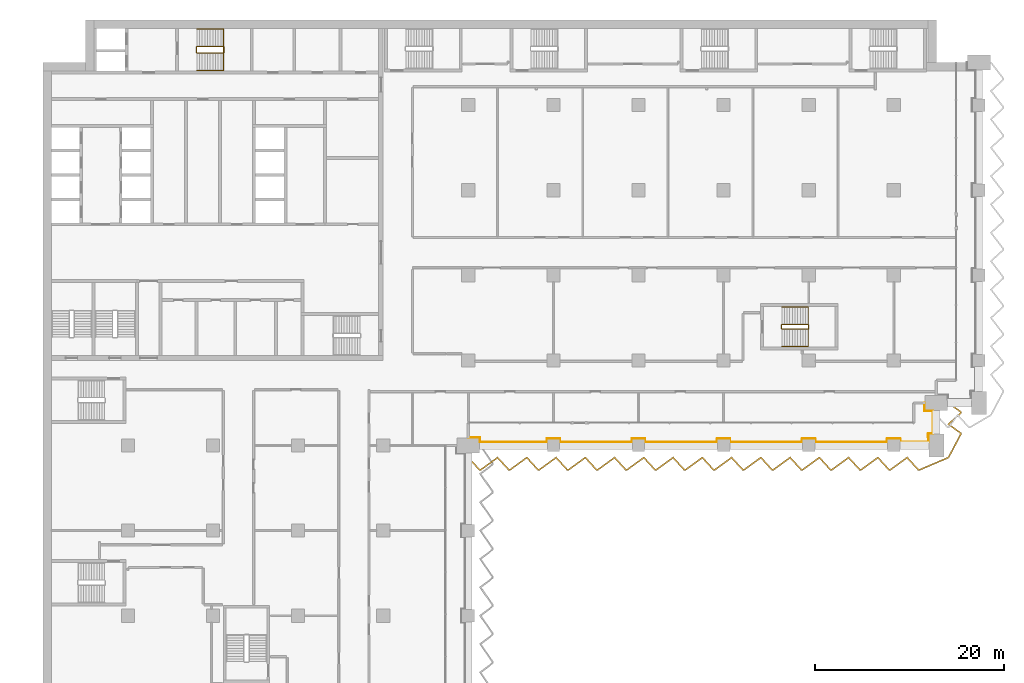
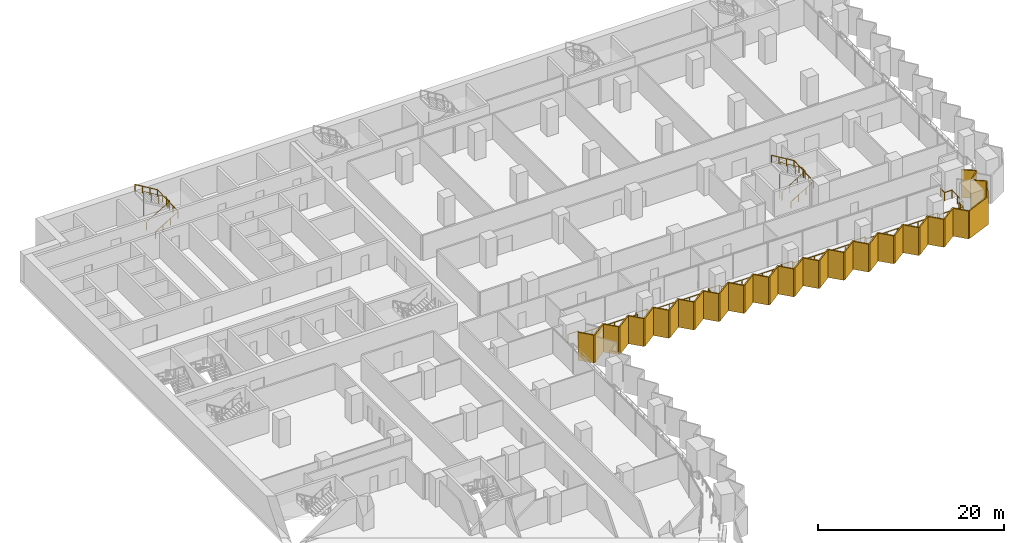
# One storey, part 27 of 29: 5 railings, 1 shading device.
"""IFC4 building model written with IfcOpenShell, lengths in metres."""

import ifcopenshell
import ifcopenshell.guid

model = None  # the IFC model being written
_history = None  # IfcOwnerHistory: only IFC2X3 demands one
_inside = {}  # id of a spatial element -> (the spatial element, [elements in it])
_under = {}  # id of a project, library or spatial element -> (it, [spatial elements below it])
_declared = {}  # id of a project -> (the project, [libraries it declares])
_typed = {}  # id of a type object -> (the type object, [elements of that type])
_made_of = {}  # id of a material, layer set ... -> (it, [elements and type objects made of it])


def new_model(schema):
    """Start an empty IFC model of exactly this schema.

    Asked for "IFC4X3", IfcOpenShell would pick the latest addendum, in which some entities
    have other attributes; the version numbers below select the first issue.
    IFC2X3 requires an IfcOwnerHistory on every rooted entity: one is made here for all.
    """
    global model, _history
    if schema == "IFC4X3":
        model = ifcopenshell.file(schema_version=(4, 3, 0, 0))
    else:
        model = ifcopenshell.file(schema=schema)
    _inside.clear()
    _under.clear()
    _declared.clear()
    _typed.clear()
    _made_of.clear()
    _history = None
    if model.schema == "IFC2X3":
        org = make("IfcOrganization", Name="unknown")
        user = make(
            "IfcPersonAndOrganization",
            ThePerson=make("IfcPerson", FamilyName="unknown"),
            TheOrganization=org,
        )
        app = make(
            "IfcApplication",
            ApplicationDeveloper=org,
            Version="unknown",
            ApplicationFullName="unknown",
            ApplicationIdentifier="unknown",
        )
        _history = make(
            "IfcOwnerHistory",
            OwningUser=user,
            OwningApplication=app,
            ChangeAction="ADDED",
            CreationDate=0,
        )
    return model


def make(cls, **values):
    """One entity of the class cls with the attributes given. An attribute that is None is left unset."""
    return model.create_entity(
        cls, **{name: value for name, value in values.items() if value is not None}
    )


def rooted(cls, **values):
    """An entity with a GlobalId (a new one), such as an element, a storey or a relation."""
    return make(cls, GlobalId=ifcopenshell.guid.new(), OwnerHistory=_history, **values)


def si_unit(unit_type, name, prefix=None):
    """IfcSIUnit, for example si_unit("LENGTHUNIT", "METRE", prefix="MILLI")."""
    return make("IfcSIUnit", UnitType=unit_type, Prefix=prefix, Name=name)


def assignment(units):
    """IfcUnitAssignment: the units of a project."""
    return None if units is None else make("IfcUnitAssignment", Units=units)


def point(xyz):
    """IfcCartesianPoint."""
    return None if xyz is None else make("IfcCartesianPoint", Coordinates=xyz)


def direction(xyz):
    """IfcDirection."""
    return None if xyz is None else make("IfcDirection", DirectionRatios=xyz)


def frame(location, z_axis=None, x_axis=None):
    """IfcAxis2Placement3D, a coordinate frame: its origin and axes. An axis left out is left unset."""
    return make(
        "IfcAxis2Placement3D",
        Location=point(location),
        Axis=direction(z_axis),
        RefDirection=direction(x_axis),
    )


def frame_2d(location, x_axis=None):
    """IfcAxis2Placement2D, a coordinate frame in the plane: its origin and x axis."""
    return make(
        "IfcAxis2Placement2D", Location=point(location), RefDirection=direction(x_axis)
    )


def origin():
    """The frame at (0, 0, 0) with its axes left unset."""
    return frame((0.0, 0.0, 0.0))


def origin_2d():
    """The frame at (0, 0) in the plane with its x axis left unset."""
    return frame_2d((0.0, 0.0))


def place(relative_to, where):
    """IfcLocalPlacement: puts the frame where relative to a parent placement (None: the world)."""
    return make(
        "IfcLocalPlacement", PlacementRelTo=relative_to, RelativePlacement=where
    )


def context(
    kind, dimensions, precision=None, world=None, true_north=None, identifier=None
):
    """IfcGeometricRepresentationContext, for example the 3D "Model" context."""
    return make(
        "IfcGeometricRepresentationContext",
        ContextIdentifier=identifier,
        ContextType=kind,
        CoordinateSpaceDimension=dimensions,
        Precision=precision,
        WorldCoordinateSystem=world,
        TrueNorth=true_north,
    )


def subcontext(parent, identifier, kind, view, scale=None):
    """IfcGeometricRepresentationSubContext, for example "Body" below "Model"."""
    return make(
        "IfcGeometricRepresentationSubContext",
        ContextIdentifier=identifier,
        ContextType=kind,
        ParentContext=parent,
        TargetScale=scale,
        TargetView=view,
    )


def project(units=None, contexts=None):
    """IfcProject with its units and contexts."""
    return rooted(
        "IfcProject",
        Name="project",
        RepresentationContexts=contexts,
        UnitsInContext=assignment(units),
    )


def spatial(cls, under=None, at=None, **own):
    """A site, building, storey or space (cls), placed at a placement, below another one or the project."""
    s = rooted(cls, ObjectPlacement=at, **own)
    if under is not None:
        _under.setdefault(under.id(), (under, []))[1].append(s)
    return s


def polyline(points):
    """IfcPolyline through the points."""
    return make("IfcPolyline", Points=[point(p) for p in points])


def profile(cls, at=None, kind="AREA", **sizes):
    """A parametric profile (cls). Its sizes go by their IFC names, for example OverallWidth=200.0."""
    return make(cls, ProfileType=kind, Position=at, **sizes)


def circle(**sizes):
    """IfcCircleProfileDef."""
    return profile("IfcCircleProfileDef", **sizes)


def outline(outer, holes=None, kind="AREA"):
    """IfcArbitraryClosedProfileDef: a profile drawn as a closed curve; with holes, ...WithVoids."""
    if holes is None:
        return make("IfcArbitraryClosedProfileDef", ProfileType=kind, OuterCurve=outer)
    return make(
        "IfcArbitraryProfileDefWithVoids",
        ProfileType=kind,
        OuterCurve=outer,
        InnerCurves=holes,
    )


def extrude(swept, where, along, depth):
    """IfcExtrudedAreaSolid: the profile swept, set in the frame where, extruded along a direction by depth."""
    return make(
        "IfcExtrudedAreaSolid",
        SweptArea=swept,
        Position=where,
        ExtrudedDirection=direction(along),
        Depth=depth,
    )


def shape(context_of_items, identifier, shape_type, items):
    """IfcShapeRepresentation: the items that make up one representation, for example the "Body"."""
    return make(
        "IfcShapeRepresentation",
        ContextOfItems=context_of_items,
        RepresentationIdentifier=identifier,
        RepresentationType=shape_type,
        Items=items,
    )


def material(Name=None, Category=None):
    """IfcMaterial."""
    return make("IfcMaterial", Name=Name, Category=Category)


def layer(
    of_material, thickness, ventilated=None, Name=None, Category=None, Priority=None
):
    """IfcMaterialLayer: one layer of a wall or slab, of a material (None: an air gap)."""
    return make(
        "IfcMaterialLayer",
        Material=of_material,
        LayerThickness=thickness,
        IsVentilated=ventilated,
        Name=Name,
        Category=Category,
        Priority=Priority,
    )


def layer_set(layers, Name=None):
    """IfcMaterialLayerSet."""
    return make("IfcMaterialLayerSet", MaterialLayers=layers, LayerSetName=Name)


def made_of(thing, what):
    """Note that an element or type object is made of a material, layer set ...; save() writes the relation."""
    if what is not None:
        _made_of.setdefault(what.id(), (what, []))[1].append(thing)
    return thing


def type_object(cls, material=None, **own):
    """A type object (cls), such as IfcWallType, which elements share."""
    return made_of(rooted(cls, **own), material)


def element(
    cls,
    number,
    at=None,
    inside=None,
    cuts=None,
    type_object=None,
    material=None,
    context=None,
    identifier="Body",
    shape_type=None,
    held_by="IfcProductDefinitionShape",
    body=None,
    shapes=None,
    **own,
):
    """One element of the class cls, such as IfcWall. Its Tag is "e" and its number.

    at: its placement. inside: the storey or other place that contains it. cuts: it is an
    opening in that element (IfcRelVoidsElement). A single representation is given by context,
    identifier, shape_type and body (its items); several are given by shapes. held_by: the class
    of the entity that holds the representations. save() writes the other relations.
    """
    e = rooted(cls, Tag="e%d" % number, ObjectPlacement=at, **own)
    if body is not None:
        shapes = [shape(context, identifier, shape_type, body)]
    if shapes is not None:
        e.Representation = make(held_by, Representations=shapes)
    if inside is not None:
        _inside.setdefault(inside.id(), (inside, []))[1].append(e)
    if cuts is not None:
        rooted(
            "IfcRelVoidsElement", RelatingBuildingElement=cuts, RelatedOpeningElement=e
        )
    if type_object is not None:
        _typed.setdefault(type_object.id(), (type_object, []))[1].append(e)
    return made_of(e, material)


def aggregate(whole, parts):
    """IfcRelAggregates: a whole, such as a stair, and the parts it consists of."""
    return rooted("IfcRelAggregates", RelatingObject=whole, RelatedObjects=parts)


def save(model, path):
    """Write the relations noted so far, then the file.

    IfcRelAggregates (storeys below a building ...), IfcRelContainedInSpatialStructure (elements
    in a storey), IfcRelDefinesByType, IfcRelAssociatesMaterial and IfcRelDeclares: one each for
    every whole, place, type object, material and project.
    """
    for whole, parts in _under.values():
        aggregate(whole, parts)
    for where, things in _inside.values():
        rooted(
            "IfcRelContainedInSpatialStructure",
            RelatedElements=things,
            RelatingStructure=where,
        )
    for kind, things in _typed.values():
        rooted("IfcRelDefinesByType", RelatedObjects=things, RelatingType=kind)
    for what, things in _made_of.values():
        rooted("IfcRelAssociatesMaterial", RelatedObjects=things, RelatingMaterial=what)
    for by, libraries in _declared.values():
        rooted("IfcRelDeclares", RelatingContext=by, RelatedDefinitions=libraries)
    model.write(path)


model = new_model("IFC4")

# Units and contexts
model_context = context("Model", 3, precision=1e-05, world=origin(), true_north=direction((0.0, 1.0)))
body_context = subcontext(model_context, "Body", "Model", "MODEL_VIEW")
ifc_project = project(units=[si_unit("LENGTHUNIT", "METRE"), si_unit("AREAUNIT", "SQUARE_METRE"), si_unit("VOLUMEUNIT", "CUBIC_METRE"), si_unit("PLANEANGLEUNIT", "RADIAN"), si_unit("MASSUNIT", "GRAM", prefix="KILO")], contexts=[model_context])

# Site, building, storey
site_placement = place(None, origin())
site = spatial("IfcSite", under=ifc_project, at=site_placement, CompositionType="ELEMENT")
building_placement = place(site_placement, origin())
building = spatial("IfcBuilding", under=site, at=building_placement, Name="Hunhe Ridgeline Campus", CompositionType="ELEMENT")
storey_placement = place(building_placement, frame((0.0, 0.0, 46.89990234375)))
storey = spatial("IfcBuildingStorey", under=building, at=storey_placement, Name="L10", CompositionType="ELEMENT", Elevation=46.89990234375)

# Railing
ifc_material_1 = material(Name="Steel Q355", Category="steel")
railing_type_1 = type_object("IfcRailingType", Name="Loggia guard 1100 Steel Q355", PredefinedType="GUARDRAIL", material=ifc_material_1)
railing_1_placement = place(storey_placement, frame((45.0, 54.8701171875, 0.0)))
element("IfcRailing", 1, at=railing_1_placement, inside=storey, type_object=railing_type_1, Name="Loggia guard 2", PredefinedType="GUARDRAIL", context=body_context, shape_type="SweptSolid", body=[
    extrude(circle(Radius=0.02392578125, at=origin_2d()), frame((0.0, 0.0, 1.076171875), z_axis=(1.0, 0.0, 0.0), x_axis=(0.0, 1.0, 0.0)), (0.0, 0.0, 1.0), 1.25),
    extrude(circle(Radius=0.02392578125, at=origin_2d()), frame((1.25, 0.0, 1.076171875), z_axis=(0.0, -1.0, 0.0), x_axis=(1.0, 0.0, 0.0)), (0.0, 0.0, 1.0), 0.52001953125),
    extrude(circle(Radius=0.02392578125, at=origin_2d()), frame((1.25, -0.52001953125, 1.076171875), z_axis=(1.0, 0.0, 0.0), x_axis=(0.0, 1.0, 0.0)), (0.0, 0.0, 1.0), 7.050048828125),
    extrude(circle(Radius=0.02392578125, at=origin_2d()), frame((8.300048828125, -0.52001953125, 1.076171875), z_axis=(0.0, 1.0, 0.0), x_axis=(-1.0, 0.0, 0.0)), (0.0, 0.0, 1.0), 0.369873046875),
    extrude(circle(Radius=0.02392578125, at=origin_2d()), frame((8.300048828125, -0.150146484375, 1.076171875), z_axis=(1.0, 0.0, 0.0), x_axis=(0.0, 1.0, 0.0)), (0.0, 0.0, 1.0), 1.39990234375),
    extrude(circle(Radius=0.02392578125, at=origin_2d()), frame((9.699951171875, -0.150146484375, 1.076171875), z_axis=(0.0, -1.0, 0.0), x_axis=(1.0, 0.0, 0.0)), (0.0, 0.0, 1.0), 0.369873046875),
    extrude(circle(Radius=0.02392578125, at=origin_2d()), frame((9.699951171875, -0.52001953125, 1.076171875), z_axis=(1.0, 0.0, 0.0), x_axis=(0.0, 1.0, 0.0)), (0.0, 0.0, 1.0), 7.60009765625),
    extrude(circle(Radius=0.02392578125, at=origin_2d()), frame((17.300048828125, -0.52001953125, 1.076171875), z_axis=(0.0, 1.0, 0.0), x_axis=(-1.0, 0.0, 0.0)), (0.0, 0.0, 1.0), 0.369873046875),
    extrude(circle(Radius=0.02392578125, at=origin_2d()), frame((17.300048828125, -0.150146484375, 1.076171875), z_axis=(1.0, 0.0, 0.0), x_axis=(0.0, 1.0, 0.0)), (0.0, 0.0, 1.0), 1.39990234375),
    extrude(circle(Radius=0.02392578125, at=origin_2d()), frame((18.699951171875, -0.150146484375, 1.076171875), z_axis=(0.0, -1.0, 0.0), x_axis=(1.0, 0.0, 0.0)), (0.0, 0.0, 1.0), 0.369873046875),
    extrude(circle(Radius=0.02392578125, at=origin_2d()), frame((18.699951171875, -0.52001953125, 1.076171875), z_axis=(1.0, 0.0, 0.0), x_axis=(0.0, 1.0, 0.0)), (0.0, 0.0, 1.0), 7.60009765625),
    extrude(circle(Radius=0.02392578125, at=origin_2d()), frame((26.300048828125, -0.52001953125, 1.076171875), z_axis=(0.0, 1.0, 0.0), x_axis=(-1.0, 0.0, 0.0)), (0.0, 0.0, 1.0), 0.369873046875),
    extrude(circle(Radius=0.02392578125, at=origin_2d()), frame((26.300048828125, -0.150146484375, 1.076171875), z_axis=(1.0, 0.0, 0.0), x_axis=(0.0, 1.0, 0.0)), (0.0, 0.0, 1.0), 1.39990234375),
    extrude(circle(Radius=0.02392578125, at=origin_2d()), frame((27.699951171875, -0.150146484375, 1.076171875), z_axis=(0.0, -1.0, 0.0), x_axis=(1.0, 0.0, 0.0)), (0.0, 0.0, 1.0), 0.369873046875),
    extrude(circle(Radius=0.02392578125, at=origin_2d()), frame((27.699951171875, -0.52001953125, 1.076171875), z_axis=(1.0, 0.0, 0.0), x_axis=(0.0, 1.0, 0.0)), (0.0, 0.0, 1.0), 7.60009765625),
    extrude(circle(Radius=0.02392578125, at=origin_2d()), frame((35.300048828125, -0.52001953125, 1.076171875), z_axis=(0.0, 1.0, 0.0), x_axis=(-1.0, 0.0, 0.0)), (0.0, 0.0, 1.0), 0.369873046875),
    extrude(circle(Radius=0.02392578125, at=origin_2d()), frame((35.300048828125, -0.150146484375, 1.076171875), z_axis=(1.0, 0.0, 0.0), x_axis=(0.0, 1.0, 0.0)), (0.0, 0.0, 1.0), 1.39990234375),
    extrude(circle(Radius=0.02392578125, at=origin_2d()), frame((36.699951171875, -0.150146484375, 1.076171875), z_axis=(0.0, -1.0, 0.0), x_axis=(1.0, 0.0, 0.0)), (0.0, 0.0, 1.0), 0.369873046875),
    extrude(circle(Radius=0.02392578125, at=origin_2d()), frame((36.699951171875, -0.52001953125, 1.076171875), z_axis=(1.0, 0.0, 0.0), x_axis=(0.0, 1.0, 0.0)), (0.0, 0.0, 1.0), 7.60009765625),
    extrude(circle(Radius=0.02392578125, at=origin_2d()), frame((44.300048828125, -0.52001953125, 1.076171875), z_axis=(0.0, 1.0, 0.0), x_axis=(-1.0, 0.0, 0.0)), (0.0, 0.0, 1.0), 0.369873046875),
    extrude(circle(Radius=0.02392578125, at=origin_2d()), frame((44.300048828125, -0.150146484375, 1.076171875), z_axis=(1.0, 0.0, 0.0), x_axis=(0.0, 1.0, 0.0)), (0.0, 0.0, 1.0), 1.39990234375),
    extrude(circle(Radius=0.02392578125, at=origin_2d()), frame((45.699951171875, -0.150146484375, 1.076171875), z_axis=(0.0, -1.0, 0.0), x_axis=(1.0, 0.0, 0.0)), (0.0, 0.0, 1.0), 0.369873046875),
    extrude(circle(Radius=0.02392578125, at=origin_2d()), frame((45.699951171875, -0.52001953125, 1.076171875), z_axis=(1.0, 0.0, 0.0), x_axis=(0.0, 1.0, 0.0)), (0.0, 0.0, 1.0), 2.949951171875),
    extrude(circle(Radius=0.02392578125, at=origin_2d()), frame((48.64990234375, -0.52001953125, 1.076171875), z_axis=(0.0, 1.0, 0.0), x_axis=(-1.0, 0.0, 0.0)), (0.0, 0.0, 1.0), 0.919921875),
    extrude(circle(Radius=0.02392578125, at=origin_2d()), frame((48.64990234375, 0.39990234375, 1.076171875), z_axis=(-0.049998438503, -0.998749295943, 0.0), x_axis=(0.998749295943, -0.049998438503, 0.0)), (0.0, 0.0, 1.0), 0.400390625),
    extrude(circle(Radius=0.02392578125, at=origin_2d()), frame((48.6298828125, 0.0, 1.076171875), z_axis=(0.0, 1.0, 0.0), x_axis=(-1.0, 0.0, 0.0)), (0.0, 0.0, 1.0), 0.3798828125),
    extrude(circle(Radius=0.02392578125, at=origin_2d()), frame((48.6298828125, 0.3798828125, 1.076171875), z_axis=(1.0, 0.0, 0.0), x_axis=(0.0, 1.0, 0.0)), (0.0, 0.0, 1.0), 0.52001953125),
    extrude(circle(Radius=0.02392578125, at=origin_2d()), frame((49.14990234375, 0.3798828125, 1.076171875), z_axis=(0.0, 1.0, 0.0), x_axis=(-1.0, 0.0, 0.0)), (0.0, 0.0, 1.0), 2.39990234375),
    extrude(circle(Radius=0.02392578125, at=origin_2d()), frame((49.14990234375, 2.77978515625, 1.076171875), z_axis=(-1.0, 0.0, 0.0), x_axis=(0.0, -1.0, 0.0)), (0.0, 0.0, 1.0), 0.919921875),
    extrude(circle(Radius=0.02392578125, at=origin_2d()), frame((48.22998046875, 2.77978515625, 1.076171875), z_axis=(0.0, 1.0, 0.0), x_axis=(-1.0, 0.0, 0.0)), (0.0, 0.0, 1.0), 0.85009765625),
    extrude(circle(Radius=0.02099609375, at=origin_2d()), origin(), (0.0, 0.0, 1.0), 1.052001953125),
    extrude(circle(Radius=0.02099609375, at=origin_2d()), frame((1.25, 0.0, 0.0)), (0.0, 0.0, 1.0), 1.052001953125),
    extrude(circle(Radius=0.02099609375, at=origin_2d()), frame((1.25, -0.52001953125, 0.0)), (0.0, 0.0, 1.0), 1.052001953125),
    extrude(circle(Radius=0.02099609375, at=origin_2d()), frame((2.659912109375, -0.52001953125, 0.0)), (0.0, 0.0, 1.0), 1.052001953125),
    extrude(circle(Radius=0.02099609375, at=origin_2d()), frame((4.070068359375, -0.52001953125, 0.0)), (0.0, 0.0, 1.0), 1.052001953125),
    extrude(circle(Radius=0.02099609375, at=origin_2d()), frame((5.47998046875, -0.52001953125, 0.0)), (0.0, 0.0, 1.0), 1.052001953125),
    extrude(circle(Radius=0.02099609375, at=origin_2d()), frame((6.89013671875, -0.52001953125, 0.0)), (0.0, 0.0, 1.0), 1.052001953125),
    extrude(circle(Radius=0.02099609375, at=origin_2d()), frame((8.300048828125, -0.52001953125, 0.0)), (0.0, 0.0, 1.0), 1.052001953125),
    extrude(circle(Radius=0.02099609375, at=origin_2d()), frame((8.300048828125, -0.150146484375, 0.0)), (0.0, 0.0, 1.0), 1.052001953125),
    extrude(circle(Radius=0.02099609375, at=origin_2d()), frame((9.699951171875, -0.150146484375, 0.0)), (0.0, 0.0, 1.0), 1.052001953125),
    extrude(circle(Radius=0.02099609375, at=origin_2d()), frame((9.699951171875, -0.52001953125, 0.0)), (0.0, 0.0, 1.0), 1.052001953125),
    extrude(circle(Radius=0.02099609375, at=origin_2d()), frame((10.966552734375, -0.52001953125, 0.0)), (0.0, 0.0, 1.0), 1.052001953125),
    extrude(circle(Radius=0.02099609375, at=origin_2d()), frame((12.2333984375, -0.52001953125, 0.0)), (0.0, 0.0, 1.0), 1.052001953125),
    extrude(circle(Radius=0.02099609375, at=origin_2d()), frame((13.5, -0.52001953125, 0.0)), (0.0, 0.0, 1.0), 1.052001953125),
    extrude(circle(Radius=0.02099609375, at=origin_2d()), frame((14.7666015625, -0.52001953125, 0.0)), (0.0, 0.0, 1.0), 1.052001953125),
    extrude(circle(Radius=0.02099609375, at=origin_2d()), frame((16.033447265625, -0.52001953125, 0.0)), (0.0, 0.0, 1.0), 1.052001953125),
    extrude(circle(Radius=0.02099609375, at=origin_2d()), frame((17.300048828125, -0.52001953125, 0.0)), (0.0, 0.0, 1.0), 1.052001953125),
    extrude(circle(Radius=0.02099609375, at=origin_2d()), frame((17.300048828125, -0.150146484375, 0.0)), (0.0, 0.0, 1.0), 1.052001953125),
    extrude(circle(Radius=0.02099609375, at=origin_2d()), frame((18.699951171875, -0.150146484375, 0.0)), (0.0, 0.0, 1.0), 1.052001953125),
    extrude(circle(Radius=0.02099609375, at=origin_2d()), frame((18.699951171875, -0.52001953125, 0.0)), (0.0, 0.0, 1.0), 1.052001953125),
    extrude(circle(Radius=0.02099609375, at=origin_2d()), frame((19.966552734375, -0.52001953125, 0.0)), (0.0, 0.0, 1.0), 1.052001953125),
    extrude(circle(Radius=0.02099609375, at=origin_2d()), frame((21.2333984375, -0.52001953125, 0.0)), (0.0, 0.0, 1.0), 1.052001953125),
    extrude(circle(Radius=0.02099609375, at=origin_2d()), frame((22.5, -0.52001953125, 0.0)), (0.0, 0.0, 1.0), 1.052001953125),
    extrude(circle(Radius=0.02099609375, at=origin_2d()), frame((23.7666015625, -0.52001953125, 0.0)), (0.0, 0.0, 1.0), 1.052001953125),
    extrude(circle(Radius=0.02099609375, at=origin_2d()), frame((25.033447265625, -0.52001953125, 0.0)), (0.0, 0.0, 1.0), 1.052001953125),
    extrude(circle(Radius=0.02099609375, at=origin_2d()), frame((26.300048828125, -0.52001953125, 0.0)), (0.0, 0.0, 1.0), 1.052001953125),
    extrude(circle(Radius=0.02099609375, at=origin_2d()), frame((26.300048828125, -0.150146484375, 0.0)), (0.0, 0.0, 1.0), 1.052001953125),
    extrude(circle(Radius=0.02099609375, at=origin_2d()), frame((27.699951171875, -0.150146484375, 0.0)), (0.0, 0.0, 1.0), 1.052001953125),
    extrude(circle(Radius=0.02099609375, at=origin_2d()), frame((27.699951171875, -0.52001953125, 0.0)), (0.0, 0.0, 1.0), 1.052001953125),
    extrude(circle(Radius=0.02099609375, at=origin_2d()), frame((28.966552734375, -0.52001953125, 0.0)), (0.0, 0.0, 1.0), 1.052001953125),
    extrude(circle(Radius=0.02099609375, at=origin_2d()), frame((30.2333984375, -0.52001953125, 0.0)), (0.0, 0.0, 1.0), 1.052001953125),
    extrude(circle(Radius=0.02099609375, at=origin_2d()), frame((31.5, -0.52001953125, 0.0)), (0.0, 0.0, 1.0), 1.052001953125),
    extrude(circle(Radius=0.02099609375, at=origin_2d()), frame((32.7666015625, -0.52001953125, 0.0)), (0.0, 0.0, 1.0), 1.052001953125),
    extrude(circle(Radius=0.02099609375, at=origin_2d()), frame((34.033447265625, -0.52001953125, 0.0)), (0.0, 0.0, 1.0), 1.052001953125),
    extrude(circle(Radius=0.02099609375, at=origin_2d()), frame((35.300048828125, -0.52001953125, 0.0)), (0.0, 0.0, 1.0), 1.052001953125),
    extrude(circle(Radius=0.02099609375, at=origin_2d()), frame((35.300048828125, -0.150146484375, 0.0)), (0.0, 0.0, 1.0), 1.052001953125),
    extrude(circle(Radius=0.02099609375, at=origin_2d()), frame((36.699951171875, -0.150146484375, 0.0)), (0.0, 0.0, 1.0), 1.052001953125),
    extrude(circle(Radius=0.02099609375, at=origin_2d()), frame((36.699951171875, -0.52001953125, 0.0)), (0.0, 0.0, 1.0), 1.052001953125),
    extrude(circle(Radius=0.02099609375, at=origin_2d()), frame((37.966552734375, -0.52001953125, 0.0)), (0.0, 0.0, 1.0), 1.052001953125),
    extrude(circle(Radius=0.02099609375, at=origin_2d()), frame((39.2333984375, -0.52001953125, 0.0)), (0.0, 0.0, 1.0), 1.052001953125),
    extrude(circle(Radius=0.02099609375, at=origin_2d()), frame((40.5, -0.52001953125, 0.0)), (0.0, 0.0, 1.0), 1.052001953125),
    extrude(circle(Radius=0.02099609375, at=origin_2d()), frame((41.7666015625, -0.52001953125, 0.0)), (0.0, 0.0, 1.0), 1.052001953125),
    extrude(circle(Radius=0.02099609375, at=origin_2d()), frame((43.033447265625, -0.52001953125, 0.0)), (0.0, 0.0, 1.0), 1.052001953125),
    extrude(circle(Radius=0.02099609375, at=origin_2d()), frame((44.300048828125, -0.52001953125, 0.0)), (0.0, 0.0, 1.0), 1.052001953125),
    extrude(circle(Radius=0.02099609375, at=origin_2d()), frame((44.300048828125, -0.150146484375, 0.0)), (0.0, 0.0, 1.0), 1.052001953125),
    extrude(circle(Radius=0.02099609375, at=origin_2d()), frame((45.699951171875, -0.150146484375, 0.0)), (0.0, 0.0, 1.0), 1.052001953125),
    extrude(circle(Radius=0.02099609375, at=origin_2d()), frame((45.699951171875, -0.52001953125, 0.0)), (0.0, 0.0, 1.0), 1.052001953125),
    extrude(circle(Radius=0.02099609375, at=origin_2d()), frame((47.1748046875, -0.52001953125, 0.0)), (0.0, 0.0, 1.0), 1.052001953125),
    extrude(circle(Radius=0.02099609375, at=origin_2d()), frame((48.64990234375, -0.52001953125, 0.0)), (0.0, 0.0, 1.0), 1.052001953125),
    extrude(circle(Radius=0.02099609375, at=origin_2d()), frame((48.64990234375, 0.39990234375, 0.0)), (0.0, 0.0, 1.0), 1.052001953125),
    extrude(circle(Radius=0.02099609375, at=origin_2d()), frame((48.6298828125, 0.0, 0.0)), (0.0, 0.0, 1.0), 1.052001953125),
    extrude(circle(Radius=0.02099609375, at=origin_2d()), frame((48.6298828125, 0.3798828125, 0.0)), (0.0, 0.0, 1.0), 1.052001953125),
    extrude(circle(Radius=0.02099609375, at=origin_2d()), frame((49.14990234375, 0.3798828125, 0.0)), (0.0, 0.0, 1.0), 1.052001953125),
    extrude(circle(Radius=0.02099609375, at=origin_2d()), frame((49.14990234375, 1.579833984375, 0.0)), (0.0, 0.0, 1.0), 1.052001953125),
    extrude(circle(Radius=0.02099609375, at=origin_2d()), frame((49.14990234375, 2.77978515625, 0.0)), (0.0, 0.0, 1.0), 1.052001953125),
    extrude(circle(Radius=0.02099609375, at=origin_2d()), frame((48.22998046875, 2.77978515625, 0.0)), (0.0, 0.0, 1.0), 1.052001953125),
    extrude(circle(Radius=0.02099609375, at=origin_2d()), frame((48.22998046875, 3.6298828125, 0.0)), (0.0, 0.0, 1.0), 1.052001953125),
])

# Shading device
ifc_material_2 = material(Name="Concrete C50", Category="concrete")
ifc_layer = layer(ifc_material_2, 0.14990234375)
ifc_layer_set = layer_set([ifc_layer], Name="Sawtooth concrete fin 150 Concrete C50")
shading_device_type = type_object("IfcShadingDeviceType", Name="Sawtooth concrete fin 150 Concrete C50", PredefinedType="USERDEFINED", material=ifc_layer_set)
shading_device_placement = place(storey_placement, frame((0.0, 0.0, -0.949951171875)))
element("IfcShadingDevice", 2, at=shading_device_placement, inside=storey, type_object=shading_device_type, Name="Concrete fin screen 2", ObjectType="FIN", PredefinedType="USERDEFINED", context=body_context, shape_type="SweptSolid", body=[
    extrude(outline(polyline([(45.055419921875, 52.775634765625), (44.944580078125, 52.674560546875), (46.15283203125, 51.35009765625), (46.330322265625, 51.35009765625), (48.08349609375, 52.624755859375), (49.24658203125, 51.35009765625), (49.424072265625, 51.35009765625), (51.17724609375, 52.624755859375), (52.34033203125, 51.35009765625), (52.517822265625, 51.35009765625), (54.27099609375, 52.624755859375), (55.43408203125, 51.35009765625), (55.611572265625, 51.35009765625), (57.36474609375, 52.624755859375), (58.52783203125, 51.35009765625), (58.705322265625, 51.35009765625), (60.45849609375, 52.624755859375), (61.62158203125, 51.35009765625), (61.799072265625, 51.35009765625), (63.55224609375, 52.624755859375), (64.71533203125, 51.35009765625), (64.892822265625, 51.35009765625), (66.64599609375, 52.624755859375), (67.80908203125, 51.35009765625), (67.986572265625, 51.35009765625), (69.73974609375, 52.624755859375), (70.90283203125, 51.35009765625), (71.080322265625, 51.35009765625), (72.83349609375, 52.624755859375), (73.99658203125, 51.35009765625), (74.174072265625, 51.35009765625), (75.92724609375, 52.624755859375), (77.09033203125, 51.35009765625), (77.267822265625, 51.35009765625), (79.02099609375, 52.624755859375), (80.18408203125, 51.35009765625), (80.361572265625, 51.35009765625), (82.11474609375, 52.624755859375), (83.27783203125, 51.35009765625), (83.455322265625, 51.35009765625), (85.20849609375, 52.624755859375), (86.37158203125, 51.35009765625), (86.549072265625, 51.35009765625), (88.30224609375, 52.624755859375), (89.46533203125, 51.35009765625), (89.642822265625, 51.35009765625), (91.39599609375, 52.624755859375), (92.55908203125, 51.35009765625), (92.7275390625, 51.35009765625), (95.828857421875, 52.66650390625), (97.14990234375, 55.16748046875), (97.14990234375, 55.34423828125), (95.8935546875, 56.256591796875), (97.14990234375, 57.40283203125), (97.14990234375, 57.59423828125), (95.819091796875, 58.560791015625), (95.73095703125, 58.439208984375), (97.0, 57.517822265625), (97.0, 57.46923828125), (95.656494140625, 56.243408203125), (97.0, 55.267822265625), (97.0, 55.20458984375), (95.72119140625, 52.78369140625), (92.697021484375, 51.5), (92.62548828125, 51.5), (91.41650390625, 52.8251953125), (89.59423828125, 51.5), (89.53173828125, 51.5), (88.32275390625, 52.8251953125), (86.50048828125, 51.5), (86.43798828125, 51.5), (85.22900390625, 52.8251953125), (83.40673828125, 51.5), (83.34423828125, 51.5), (82.13525390625, 52.8251953125), (80.31298828125, 51.5), (80.25048828125, 51.5), (79.04150390625, 52.8251953125), (77.21923828125, 51.5), (77.15673828125, 51.5), (75.94775390625, 52.8251953125), (74.12548828125, 51.5), (74.06298828125, 51.5), (72.85400390625, 52.8251953125), (71.03173828125, 51.5), (70.96923828125, 51.5), (69.76025390625, 52.8251953125), (67.93798828125, 51.5), (67.87548828125, 51.5), (66.66650390625, 52.8251953125), (64.84423828125, 51.5), (64.78173828125, 51.5), (63.57275390625, 52.8251953125), (61.75048828125, 51.5), (61.68798828125, 51.5), (60.47900390625, 52.8251953125), (58.65673828125, 51.5), (58.59423828125, 51.5), (57.38525390625, 52.8251953125), (55.56298828125, 51.5), (55.50048828125, 51.5), (54.29150390625, 52.8251953125), (52.46923828125, 51.5), (52.40673828125, 51.5), (51.19775390625, 52.8251953125), (49.37548828125, 51.5), (49.31298828125, 51.5), (48.10400390625, 52.8251953125), (46.28173828125, 51.5), (46.21923828125, 51.5), (45.055419921875, 52.775634765625)])), origin(), (0.0, 0.0, 1.0), 3.650146484375),
])

# Railings
ifc_material_3 = material(Name="Stainless steel balustrade", Category="steel")
railing_type_2 = type_object("IfcRailingType", Name="Stair guard 1100 stainless", PredefinedType="GUARDRAIL", material=ifc_material_3)
railing_2_placement = place(storey_placement, frame((16.300048828125, 95.5, 0.168212890625)))
element("IfcRailing", 3, at=railing_2_placement, inside=storey, type_object=railing_type_2, Name="L10 stair S1 guard", PredefinedType="GUARDRAIL", context=body_context, shape_type="SweptSolid", body=[
    extrude(circle(Radius=0.02392578125, at=origin_2d()), frame((0.0, 0.0, 1.076171875), z_axis=(0.857242210791, 0.0, 0.514913383045), x_axis=(0.0, 1.0, 0.0)), (0.0, 0.0, 1.0), 3.266357421875),
    extrude(circle(Radius=0.02392578125, at=origin_2d()), frame((2.800048828125, 0.0, 2.7578125), z_axis=(0.705375805398, 0.708833529934, 0.0), x_axis=(-0.708833529934, 0.705375805398, 0.0)), (0.0, 0.0, 1.0), 0.070556640625),
    extrude(circle(Radius=0.02392578125, at=origin_2d()), frame((2.849853515625, 0.050048828125, 2.7578125), z_axis=(0.0, 1.0, 0.0), x_axis=(-1.0, 0.0, 0.0)), (0.0, 0.0, 1.0), 0.599853515625),
    extrude(circle(Radius=0.02392578125, at=origin_2d()), frame((2.849853515625, 0.64990234375, 2.7578125), z_axis=(-0.273006030465, 0.27434429532, 0.922064485248), x_axis=(-0.708833529934, -0.705375805398, 0.0)), (0.0, 0.0, 1.0), 0.182373046875),
    extrude(circle(Radius=0.02392578125, at=origin_2d()), frame((2.800048828125, 0.699951171875, 2.92626953125), z_axis=(-0.857242210791, 0.0, 0.514913383045), x_axis=(0.0, -1.0, 0.0)), (0.0, 0.0, 1.0), 3.266357421875),
    extrude(circle(Radius=0.02392578125, at=origin_2d()), frame((0.0, 0.699951171875, 4.60791015625), z_axis=(-0.013523522368, -0.013523522368, -0.999817097616), x_axis=(0.707106781187, -0.707106781187, 0.0)), (0.0, 0.0, 1.0), 3.700927734375),
    extrude(circle(Radius=0.02392578125, at=origin_2d()), frame((-0.050048828125, 0.64990234375, 0.90771484375), z_axis=(0.0, -1.0, 0.0), x_axis=(1.0, 0.0, 0.0)), (0.0, 0.0, 1.0), 0.599853515625),
    extrude(circle(Radius=0.02099609375, at=origin_2d()), origin(), (0.0, 0.0, 1.0), 1.052001953125),
    extrude(circle(Radius=0.02099609375, at=origin_2d()), frame((0.933349609375, 0.0, 0.560546875)), (0.0, 0.0, 1.0), 1.052001953125),
    extrude(circle(Radius=0.02099609375, at=origin_2d()), frame((1.86669921875, 0.0, 1.121337890625)), (0.0, 0.0, 1.0), 1.052001953125),
    extrude(circle(Radius=0.02099609375, at=origin_2d()), frame((2.800048828125, 0.0, 1.681884765625)), (0.0, 0.0, 1.0), 1.052001953125),
    extrude(circle(Radius=0.02099609375, at=origin_2d()), frame((2.849853515625, 0.050048828125, 1.681884765625)), (0.0, 0.0, 1.0), 1.052001953125),
    extrude(circle(Radius=0.02099609375, at=origin_2d()), frame((2.849853515625, 0.64990234375, 1.681884765625)), (0.0, 0.0, 1.0), 1.052001953125),
    extrude(circle(Radius=0.02099609375, at=origin_2d()), frame((2.800048828125, 0.699951171875, 1.85009765625)), (0.0, 0.0, 1.0), 1.052001953125),
    extrude(circle(Radius=0.02099609375, at=origin_2d()), frame((1.86669921875, 0.699951171875, 2.41064453125)), (0.0, 0.0, 1.0), 1.052001953125),
    extrude(circle(Radius=0.02099609375, at=origin_2d()), frame((0.933349609375, 0.699951171875, 2.971435546875)), (0.0, 0.0, 1.0), 1.052001953125),
    extrude(circle(Radius=0.02099609375, at=origin_2d()), frame((0.0, 0.699951171875, 3.531982421875)), (0.0, 0.0, 1.0), 1.052001953125),
    extrude(circle(Radius=0.02099609375, at=origin_2d()), frame((-0.012451171875, 0.6875, 2.60693359375)), (0.0, 0.0, 1.0), 1.052001953125),
    extrude(circle(Radius=0.02099609375, at=origin_2d()), frame((-0.02490234375, 0.6748046875, 1.681884765625)), (0.0, 0.0, 1.0), 1.052001953125),
    extrude(circle(Radius=0.02099609375, at=origin_2d()), frame((-0.03759765625, 0.662353515625, 0.7568359375)), (0.0, 0.0, 1.0), 1.052001953125),
    extrude(circle(Radius=0.02099609375, at=origin_2d()), frame((-0.050048828125, 0.64990234375, -0.168212890625)), (0.0, 0.0, 1.0), 1.052001953125),
    extrude(circle(Radius=0.02099609375, at=origin_2d()), frame((-0.050048828125, 0.050048828125, -0.168212890625)), (0.0, 0.0, 1.0), 1.052001953125),
])
railing_3_placement = place(storey_placement, frame((78.14990234375, 66.300048828125, 0.168212890625)))
element("IfcRailing", 4, at=railing_3_placement, inside=storey, type_object=railing_type_2, Name="L10 stair E5 guard", PredefinedType="GUARDRAIL", context=body_context, shape_type="SweptSolid", body=[
    extrude(circle(Radius=0.02392578125, at=origin_2d()), frame((0.0, 0.0, 1.076171875), z_axis=(0.857242210791, 0.0, 0.514913383045), x_axis=(0.0, 1.0, 0.0)), (0.0, 0.0, 1.0), 3.266357421875),
    extrude(circle(Radius=0.02392578125, at=origin_2d()), frame((2.800048828125, 0.0, 2.7578125), z_axis=(0.707106781187, 0.707106781187, 0.0), x_axis=(-0.707106781187, 0.707106781187, 0.0)), (0.0, 0.0, 1.0), 0.07080078125),
    extrude(circle(Radius=0.02392578125, at=origin_2d()), frame((2.85009765625, 0.050048828125, 2.7578125), z_axis=(0.0, 1.0, 0.0), x_axis=(-1.0, 0.0, 0.0)), (0.0, 0.0, 1.0), 0.39990234375),
    extrude(circle(Radius=0.02392578125, at=origin_2d()), frame((2.85009765625, 0.449951171875, 2.7578125), z_axis=(-0.274243871929, 0.274243871929, 0.92172696468), x_axis=(-0.707106781187, -0.707106781187, 0.0)), (0.0, 0.0, 1.0), 0.1826171875),
    extrude(circle(Radius=0.02392578125, at=origin_2d()), frame((2.800048828125, 0.5, 2.92626953125), z_axis=(-0.857242210791, 0.0, 0.514913383045), x_axis=(0.0, -1.0, 0.0)), (0.0, 0.0, 1.0), 3.266357421875),
    extrude(circle(Radius=0.02392578125, at=origin_2d()), frame((0.0, 0.5, 4.60791015625), z_axis=(-0.013457565943, -0.013523534403, -0.999817987404), x_axis=(0.708833529934, -0.705375805398, 0.0)), (0.0, 0.0, 1.0), 3.700927734375),
    extrude(circle(Radius=0.02392578125, at=origin_2d()), frame((-0.0498046875, 0.449951171875, 0.90771484375), z_axis=(0.0, -1.0, 0.0), x_axis=(1.0, 0.0, 0.0)), (0.0, 0.0, 1.0), 0.39990234375),
    extrude(circle(Radius=0.02099609375, at=origin_2d()), origin(), (0.0, 0.0, 1.0), 1.052001953125),
    extrude(circle(Radius=0.02099609375, at=origin_2d()), frame((0.933349609375, 0.0, 0.560546875)), (0.0, 0.0, 1.0), 1.052001953125),
    extrude(circle(Radius=0.02099609375, at=origin_2d()), frame((1.86669921875, 0.0, 1.121337890625)), (0.0, 0.0, 1.0), 1.052001953125),
    extrude(circle(Radius=0.02099609375, at=origin_2d()), frame((2.800048828125, 0.0, 1.681884765625)), (0.0, 0.0, 1.0), 1.052001953125),
    extrude(circle(Radius=0.02099609375, at=origin_2d()), frame((2.85009765625, 0.050048828125, 1.681884765625)), (0.0, 0.0, 1.0), 1.052001953125),
    extrude(circle(Radius=0.02099609375, at=origin_2d()), frame((2.85009765625, 0.449951171875, 1.681884765625)), (0.0, 0.0, 1.0), 1.052001953125),
    extrude(circle(Radius=0.02099609375, at=origin_2d()), frame((2.800048828125, 0.5, 1.85009765625)), (0.0, 0.0, 1.0), 1.052001953125),
    extrude(circle(Radius=0.02099609375, at=origin_2d()), frame((1.86669921875, 0.5, 2.41064453125)), (0.0, 0.0, 1.0), 1.052001953125),
    extrude(circle(Radius=0.02099609375, at=origin_2d()), frame((0.933349609375, 0.5, 2.971435546875)), (0.0, 0.0, 1.0), 1.052001953125),
    extrude(circle(Radius=0.02099609375, at=origin_2d()), frame((0.0, 0.5, 3.531982421875)), (0.0, 0.0, 1.0), 1.052001953125),
    extrude(circle(Radius=0.02099609375, at=origin_2d()), frame((-0.012451171875, 0.487548828125, 2.60693359375)), (0.0, 0.0, 1.0), 1.052001953125),
    extrude(circle(Radius=0.02099609375, at=origin_2d()), frame((-0.02490234375, 0.47509765625, 1.681884765625)), (0.0, 0.0, 1.0), 1.052001953125),
    extrude(circle(Radius=0.02099609375, at=origin_2d()), frame((-0.037353515625, 0.46240234375, 0.7568359375)), (0.0, 0.0, 1.0), 1.052001953125),
    extrude(circle(Radius=0.02099609375, at=origin_2d()), frame((-0.0498046875, 0.449951171875, -0.168212890625)), (0.0, 0.0, 1.0), 1.052001953125),
    extrude(circle(Radius=0.02099609375, at=origin_2d()), frame((-0.0498046875, 0.050048828125, -0.168212890625)), (0.0, 0.0, 1.0), 1.052001953125),
])
ifc_material_4 = material(Name="Stainless steel handrail", Category="steel")
railing_type_3 = type_object("IfcRailingType", Name="Stair handrail 900 stainless", PredefinedType="HANDRAIL", material=ifc_material_4)
railing_4_placement = place(storey_placement, frame((16.300048828125, 93.64990234375, 0.168212890625)))
element("IfcRailing", 5, at=railing_4_placement, inside=storey, type_object=railing_type_3, Name="L10 stair S1 handrail", PredefinedType="HANDRAIL", context=body_context, shape_type="SweptSolid", body=[
    extrude(circle(Radius=0.02392578125, at=origin_2d()), frame((0.0, 0.0, 0.8759765625), z_axis=(0.857242210791, 0.0, 0.514913383045), x_axis=(0.0, 1.0, 0.0)), (0.0, 0.0, 1.0), 3.266357421875),
    extrude(circle(Radius=0.02392578125, at=origin_2d()), frame((2.800048828125, 0.0, 2.5576171875), z_axis=(0.0, 0.999270074432, 0.038201025428), x_axis=(-1.0, 0.0, 0.0)), (0.0, 0.0, 1.0), 4.4033203125),
    extrude(circle(Radius=0.02392578125, at=origin_2d()), frame((2.800048828125, 4.400146484375, 2.72607421875), z_axis=(-0.857242210791, 0.0, 0.514913383045), x_axis=(0.0, -1.0, 0.0)), (0.0, 0.0, 1.0), 3.266357421875),
    extrude(circle(Radius=0.02099609375, at=origin_2d()), origin(), (0.0, 0.0, 1.0), 0.851806640625),
    extrude(circle(Radius=0.02099609375, at=origin_2d()), frame((0.933349609375, 0.0, 0.560546875)), (0.0, 0.0, 1.0), 0.851806640625),
    extrude(circle(Radius=0.02099609375, at=origin_2d()), frame((1.86669921875, 0.0, 1.121337890625)), (0.0, 0.0, 1.0), 0.851806640625),
    extrude(circle(Radius=0.02099609375, at=origin_2d()), frame((2.800048828125, 0.0, 1.681884765625)), (0.0, 0.0, 1.0), 0.851806640625),
    extrude(circle(Radius=0.02099609375, at=origin_2d()), frame((2.800048828125, 1.10009765625, 1.723876953125)), (0.0, 0.0, 1.0), 0.851806640625),
    extrude(circle(Radius=0.02099609375, at=origin_2d()), frame((2.800048828125, 2.2001953125, 1.76611328125)), (0.0, 0.0, 1.0), 0.851806640625),
    extrude(circle(Radius=0.02099609375, at=origin_2d()), frame((2.800048828125, 3.300048828125, 1.80810546875)), (0.0, 0.0, 1.0), 0.851806640625),
    extrude(circle(Radius=0.02099609375, at=origin_2d()), frame((2.800048828125, 4.400146484375, 1.85009765625)), (0.0, 0.0, 1.0), 0.851806640625),
    extrude(circle(Radius=0.02099609375, at=origin_2d()), frame((1.86669921875, 4.400146484375, 2.41064453125)), (0.0, 0.0, 1.0), 0.851806640625),
    extrude(circle(Radius=0.02099609375, at=origin_2d()), frame((0.933349609375, 4.400146484375, 2.971435546875)), (0.0, 0.0, 1.0), 0.851806640625),
    extrude(circle(Radius=0.02099609375, at=origin_2d()), frame((0.0, 4.400146484375, 3.531982421875)), (0.0, 0.0, 1.0), 0.851806640625),
])
railing_5_placement = place(storey_placement, frame((78.14990234375, 64.449951171875, 0.168212890625)))
element("IfcRailing", 6, at=railing_5_placement, inside=storey, type_object=railing_type_3, Name="L10 stair E5 handrail", PredefinedType="HANDRAIL", context=body_context, shape_type="SweptSolid", body=[
    extrude(circle(Radius=0.02392578125, at=origin_2d()), frame((0.0, 0.0, 0.8759765625), z_axis=(0.857242210791, 0.0, 0.514913383045), x_axis=(0.0, 1.0, 0.0)), (0.0, 0.0, 1.0), 3.266357421875),
    extrude(circle(Radius=0.02392578125, at=origin_2d()), frame((2.800048828125, 0.0, 2.5576171875), z_axis=(0.0, 0.999198916169, 0.040019069537), x_axis=(-1.0, 0.0, 0.0)), (0.0, 0.0, 1.0), 4.203369140625),
    extrude(circle(Radius=0.02392578125, at=origin_2d()), frame((2.800048828125, 4.199951171875, 2.72607421875), z_axis=(-0.857242210791, 0.0, 0.514913383045), x_axis=(0.0, -1.0, 0.0)), (0.0, 0.0, 1.0), 3.266357421875),
    extrude(circle(Radius=0.02099609375, at=origin_2d()), origin(), (0.0, 0.0, 1.0), 0.851806640625),
    extrude(circle(Radius=0.02099609375, at=origin_2d()), frame((0.933349609375, 0.0, 0.560546875)), (0.0, 0.0, 1.0), 0.851806640625),
    extrude(circle(Radius=0.02099609375, at=origin_2d()), frame((1.86669921875, 0.0, 1.121337890625)), (0.0, 0.0, 1.0), 0.851806640625),
    extrude(circle(Radius=0.02099609375, at=origin_2d()), frame((2.800048828125, 0.0, 1.681884765625)), (0.0, 0.0, 1.0), 0.851806640625),
    extrude(circle(Radius=0.02099609375, at=origin_2d()), frame((2.800048828125, 1.050048828125, 1.723876953125)), (0.0, 0.0, 1.0), 0.851806640625),
    extrude(circle(Radius=0.02099609375, at=origin_2d()), frame((2.800048828125, 2.10009765625, 1.76611328125)), (0.0, 0.0, 1.0), 0.851806640625),
    extrude(circle(Radius=0.02099609375, at=origin_2d()), frame((2.800048828125, 3.14990234375, 1.80810546875)), (0.0, 0.0, 1.0), 0.851806640625),
    extrude(circle(Radius=0.02099609375, at=origin_2d()), frame((2.800048828125, 4.199951171875, 1.85009765625)), (0.0, 0.0, 1.0), 0.851806640625),
    extrude(circle(Radius=0.02099609375, at=origin_2d()), frame((1.86669921875, 4.199951171875, 2.41064453125)), (0.0, 0.0, 1.0), 0.851806640625),
    extrude(circle(Radius=0.02099609375, at=origin_2d()), frame((0.933349609375, 4.199951171875, 2.971435546875)), (0.0, 0.0, 1.0), 0.851806640625),
    extrude(circle(Radius=0.02099609375, at=origin_2d()), frame((0.0, 4.199951171875, 3.531982421875)), (0.0, 0.0, 1.0), 0.851806640625),
])

save(model, "model.ifc")
